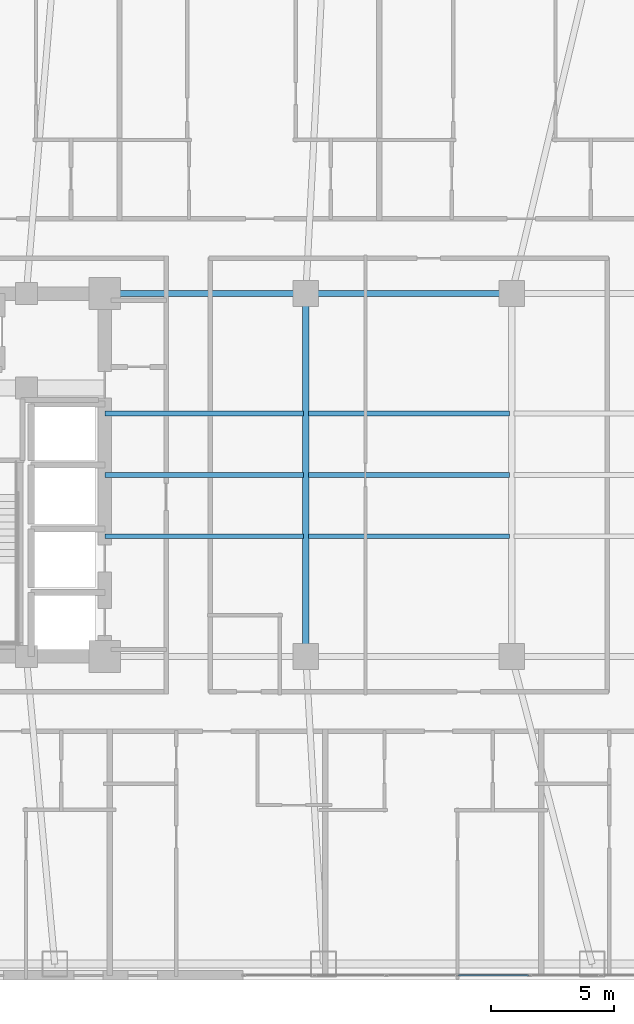
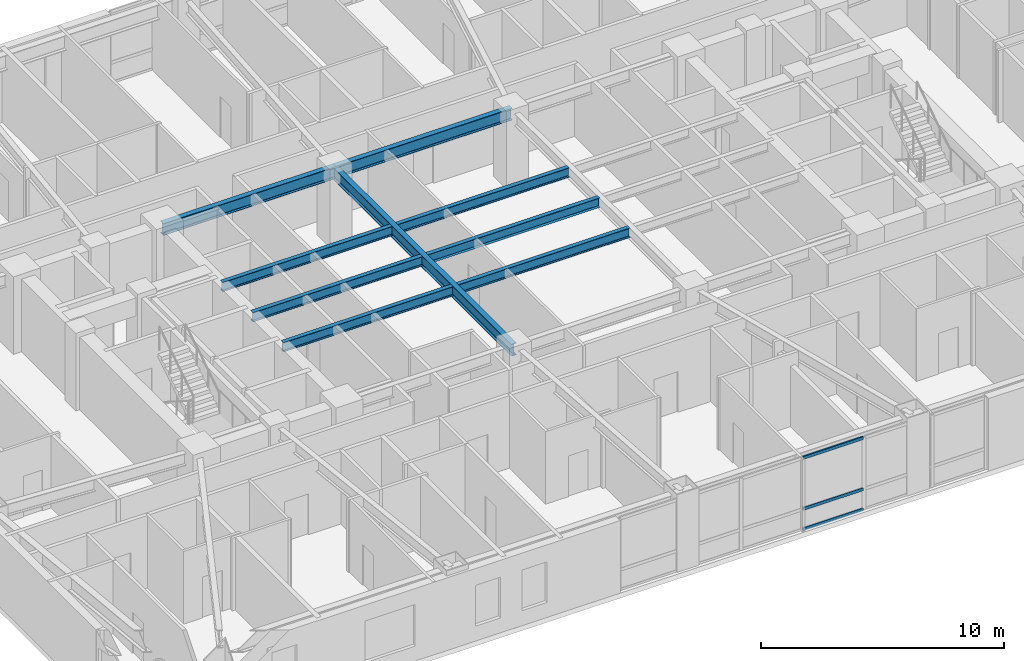
# One storey, part 9 of 28: 9 beams, 3 members, 1 element without a shape of its own.
"""IFC4 building model written with IfcOpenShell, lengths in metres."""

from ifc_helpers import new_model, si_unit, direction, frame, origin, origin_2d, place, context, subcontext, project, spatial, hollow_rectangle, i_section, extrude, material, layer, layer_set, material_profile, profile_set, type_object, element, aggregate, save


model = new_model("IFC4")

# Units and contexts
model_context = context("Model", 3, precision=1e-05, world=origin(), true_north=direction((0.0, 1.0)))
body_context = subcontext(model_context, "Body", "Model", "MODEL_VIEW")
ifc_project = project(units=[si_unit("LENGTHUNIT", "METRE"), si_unit("AREAUNIT", "SQUARE_METRE"), si_unit("VOLUMEUNIT", "CUBIC_METRE"), si_unit("PLANEANGLEUNIT", "RADIAN"), si_unit("MASSUNIT", "GRAM", prefix="KILO")], contexts=[model_context])

# Site, building, storey
site_placement = place(None, origin())
site = spatial("IfcSite", under=ifc_project, at=site_placement, CompositionType="ELEMENT")
building_placement = place(site_placement, origin())
building = spatial("IfcBuilding", under=site, at=building_placement, Name="Voryun Gate Residences", CompositionType="ELEMENT")
storey_placement = place(building_placement, frame((0.0, 0.0, 117.0)))
storey = spatial("IfcBuildingStorey", under=building, at=storey_placement, Name="L28", CompositionType="ELEMENT", Elevation=117.0)

# Beams
ifc_material_1 = material(Name="Steel SM355", Category="steel")
ifc_material_profile_1 = material_profile(ifc_material_1, i_section(OverallWidth=0.25, OverallDepth=0.60009765625, WebThickness=0.011962890625, FlangeThickness=0.02197265625, FilletRadius=0.01806640625, at=origin_2d()), Name="H-600x250x12x22")
ifc_profile_set_1 = profile_set([ifc_material_profile_1], Name="Steel SM355")
beam_type_1 = type_object("IfcBeamType", Name="BM_GIRD_600", PredefinedType="USERDEFINED", material=ifc_profile_set_1)
beam_1_placement = place(storey_placement, frame((-12.39990234375, 7.39990234375, 3.35009765625), z_axis=(1.0, 0.0, 0.0), x_axis=(0.0, 1.0, 0.0)))
element("IfcBeam", 1, at=beam_1_placement, inside=storey, type_object=beam_type_1, Name="BM-L28-SPG1-N", ObjectType="GIRDER", PredefinedType="USERDEFINED", context=body_context, shape_type="SweptSolid", body=[
    extrude(i_section(OverallWidth=0.25, OverallDepth=0.60009765625, WebThickness=0.011962890625, FlangeThickness=0.02197265625, FilletRadius=0.01806640625, at=origin_2d()), origin(), (0.0, 0.0, 1.0), 8.199951171875),
])
beam_2_placement = place(storey_placement, frame((-4.199951171875, 7.39990234375, 3.35009765625), z_axis=(1.0, 0.0, 0.0), x_axis=(0.0, 1.0, 0.0)))
element("IfcBeam", 2, at=beam_2_placement, inside=storey, type_object=beam_type_1, Name="BM-L28-SPG2-N", ObjectType="GIRDER", PredefinedType="USERDEFINED", context=body_context, shape_type="SweptSolid", body=[
    extrude(i_section(OverallWidth=0.25, OverallDepth=0.60009765625, WebThickness=0.011962890625, FlangeThickness=0.02197265625, FilletRadius=0.01806640625, at=origin_2d()), origin(), (0.0, 0.0, 1.0), 8.39990234375),
])
beam_3_placement = place(storey_placement, frame((-4.199951171875, -7.39990234375, 3.35009765625), z_axis=(0.0, 1.0, 0.0), x_axis=(-1.0, 0.0, 0.0)))
element("IfcBeam", 3, at=beam_3_placement, inside=storey, type_object=beam_type_1, Name="BM-L28-SPX-W", ObjectType="GIRDER", PredefinedType="USERDEFINED", context=body_context, shape_type="SweptSolid", body=[
    extrude(i_section(OverallWidth=0.25, OverallDepth=0.60009765625, WebThickness=0.011962890625, FlangeThickness=0.02197265625, FilletRadius=0.01806640625, at=origin_2d()), origin(), (0.0, 0.0, 1.0), 14.7998046875),
])
ifc_material_2 = material(Name="Steel SM355", Category="steel")
ifc_material_profile_2 = material_profile(ifc_material_2, i_section(OverallWidth=0.199951171875, OverallDepth=0.47998046875, WebThickness=0.010009765625, FlangeThickness=0.01806640625, FilletRadius=0.01806640625, at=origin_2d()), Name="H-480x200x10x18")
ifc_profile_set_2 = profile_set([ifc_material_profile_2], Name="Steel SM355")
beam_type_2 = type_object("IfcBeamType", Name="BM_SEC_480", PredefinedType="BEAM", material=ifc_profile_set_2)
beam_4_placement = place(storey_placement, frame((-12.39990234375, -2.5, 3.409912109375), z_axis=(1.0, 0.0, 0.0), x_axis=(0.0, 1.0, 0.0)))
element("IfcBeam", 4, at=beam_4_placement, inside=storey, type_object=beam_type_2, Name="BM-L28-SEC-CS1", PredefinedType="BEAM", context=body_context, shape_type="SweptSolid", body=[
    extrude(i_section(OverallWidth=0.199951171875, OverallDepth=0.47998046875, WebThickness=0.010009765625, FlangeThickness=0.01806640625, FilletRadius=0.01806640625, at=origin_2d()), origin(), (0.0, 0.0, 1.0), 8.099853515625),
])
beam_5_placement = place(storey_placement, frame((-4.10009765625, -2.5, 3.409912109375), z_axis=(1.0, 0.0, 0.0), x_axis=(0.0, 1.0, 0.0)))
element("IfcBeam", 5, at=beam_5_placement, inside=storey, type_object=beam_type_2, Name="BM-L28-SEC-CS2", PredefinedType="BEAM", context=body_context, shape_type="SweptSolid", body=[
    extrude(i_section(OverallWidth=0.199951171875, OverallDepth=0.47998046875, WebThickness=0.010009765625, FlangeThickness=0.01806640625, FilletRadius=0.01806640625, at=origin_2d()), origin(), (0.0, 0.0, 1.0), 8.2001953125),
])
beam_6_placement = place(storey_placement, frame((-12.39990234375, 0.0, 3.409912109375), z_axis=(1.0, 0.0, 0.0), x_axis=(0.0, 1.0, 0.0)))
element("IfcBeam", 6, at=beam_6_placement, inside=storey, type_object=beam_type_2, Name="BM-L28-SEC-CM1", PredefinedType="BEAM", context=body_context, shape_type="SweptSolid", body=[
    extrude(i_section(OverallWidth=0.199951171875, OverallDepth=0.47998046875, WebThickness=0.010009765625, FlangeThickness=0.01806640625, FilletRadius=0.01806640625, at=origin_2d()), origin(), (0.0, 0.0, 1.0), 8.099853515625),
])
beam_7_placement = place(storey_placement, frame((-4.10009765625, 0.0, 3.409912109375), z_axis=(1.0, 0.0, 0.0), x_axis=(0.0, 1.0, 0.0)))
element("IfcBeam", 7, at=beam_7_placement, inside=storey, type_object=beam_type_2, Name="BM-L28-SEC-CM2", PredefinedType="BEAM", context=body_context, shape_type="SweptSolid", body=[
    extrude(i_section(OverallWidth=0.199951171875, OverallDepth=0.47998046875, WebThickness=0.010009765625, FlangeThickness=0.01806640625, FilletRadius=0.01806640625, at=origin_2d()), origin(), (0.0, 0.0, 1.0), 8.2001953125),
])
beam_8_placement = place(storey_placement, frame((-12.39990234375, 2.5, 3.409912109375), z_axis=(1.0, 0.0, 0.0), x_axis=(0.0, 1.0, 0.0)))
element("IfcBeam", 8, at=beam_8_placement, inside=storey, type_object=beam_type_2, Name="BM-L28-SEC-CN1", PredefinedType="BEAM", context=body_context, shape_type="SweptSolid", body=[
    extrude(i_section(OverallWidth=0.199951171875, OverallDepth=0.47998046875, WebThickness=0.010009765625, FlangeThickness=0.01806640625, FilletRadius=0.01806640625, at=origin_2d()), origin(), (0.0, 0.0, 1.0), 8.099853515625),
])
beam_9_placement = place(storey_placement, frame((-4.10009765625, 2.5, 3.409912109375), z_axis=(1.0, 0.0, 0.0), x_axis=(0.0, 1.0, 0.0)))
element("IfcBeam", 9, at=beam_9_placement, inside=storey, type_object=beam_type_2, Name="BM-L28-SEC-CN2", PredefinedType="BEAM", context=body_context, shape_type="SweptSolid", body=[
    extrude(i_section(OverallWidth=0.199951171875, OverallDepth=0.47998046875, WebThickness=0.010009765625, FlangeThickness=0.01806640625, FilletRadius=0.01806640625, at=origin_2d()), origin(), (0.0, 0.0, 1.0), 8.2001953125),
])

# Curtain wall, members
ifc_material_3 = material(Name="Anodised aluminium", Category="aluminium")
ifc_layer = layer(ifc_material_3, 0.179931640625, Name="CW_SYS_RES_A_DARK_GLASS")
ifc_layer_set = layer_set([ifc_layer], Name="Anodised aluminium")
curtain_wall_type = type_object("IfcCurtainWallType", Name="CW_SYS_RES_A_DARK_GLASS", PredefinedType="NOTDEFINED", material=ifc_layer_set)
curtain_wall_placement = place(storey_placement, origin())
curtain_wall = element("IfcCurtainWall", 10, at=curtain_wall_placement, inside=storey, type_object=curtain_wall_type, Name="Curtain wall CWT-L28-01", PredefinedType="NOTDEFINED")
ifc_material_4 = material(Name="Anodised aluminium", Category="aluminium")
ifc_material_profile_3 = material_profile(ifc_material_4, hollow_rectangle(XDim=0.070068359375, YDim=0.14990234375, WallThickness=0.00390625, at=origin_2d()), Name="ALU-TRAN-150x70x4")
ifc_profile_set_3 = profile_set([ifc_material_profile_3], Name="Anodised aluminium")
member_type = type_object("IfcMemberType", Name="CW_TRAN_RES", PredefinedType="USERDEFINED", material=ifc_profile_set_3)
member_1_placement = place(storey_placement, frame((4.890625, -20.409912109375, 0.030029296875), z_axis=(-1.0, 0.0, 0.0), x_axis=(0.0, -1.0, 0.0)))
member_1 = element("IfcMember", 11, at=member_1_placement, type_object=member_type, Name="CW3 transom 3.1", ObjectType="TRANSOM", PredefinedType="USERDEFINED", context=body_context, shape_type="SweptSolid", body=[
    extrude(hollow_rectangle(XDim=0.070068359375, YDim=0.14990234375, WallThickness=0.00390625, at=origin_2d()), origin(), (0.0, 0.0, 1.0), 2.860595703125),
])
member_2_placement = place(storey_placement, frame((4.890625, -20.409912109375, 1.050048828125), z_axis=(-1.0, 0.0, 0.0), x_axis=(0.0, -1.0, 0.0)))
member_2 = element("IfcMember", 12, at=member_2_placement, type_object=member_type, Name="CW3 transom 3.2", ObjectType="TRANSOM", PredefinedType="USERDEFINED", context=body_context, shape_type="SweptSolid", body=[
    extrude(hollow_rectangle(XDim=0.070068359375, YDim=0.14990234375, WallThickness=0.00390625, at=origin_2d()), origin(), (0.0, 0.0, 1.0), 2.860595703125),
])
member_3_placement = place(storey_placement, frame((4.890625, -20.409912109375, 3.6201171875), z_axis=(-1.0, 0.0, 0.0), x_axis=(0.0, -1.0, 0.0)))
member_3 = element("IfcMember", 13, at=member_3_placement, type_object=member_type, Name="CW3 transom 3.3", ObjectType="TRANSOM", PredefinedType="USERDEFINED", context=body_context, shape_type="SweptSolid", body=[
    extrude(hollow_rectangle(XDim=0.070068359375, YDim=0.14990234375, WallThickness=0.00390625, at=origin_2d()), origin(), (0.0, 0.0, 1.0), 2.860595703125),
])
aggregate(curtain_wall, [member_1, member_2, member_3])

save(model, "model.ifc")
